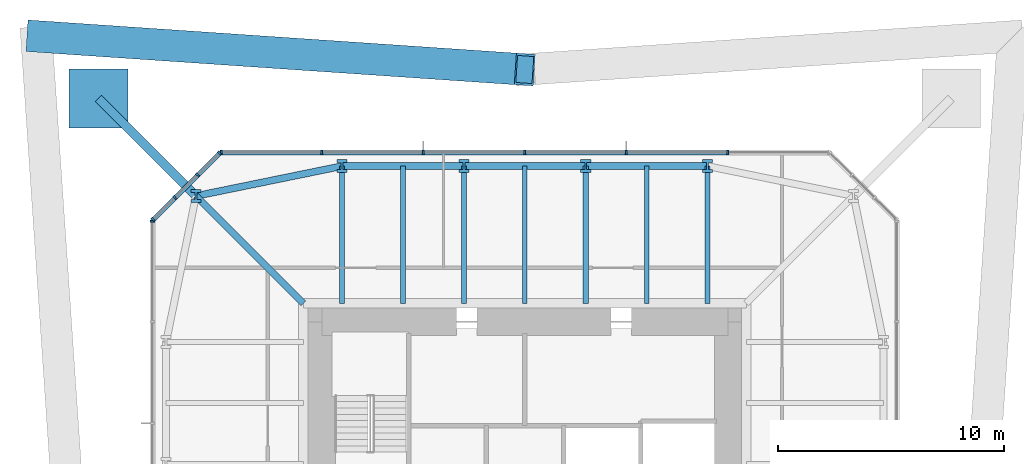
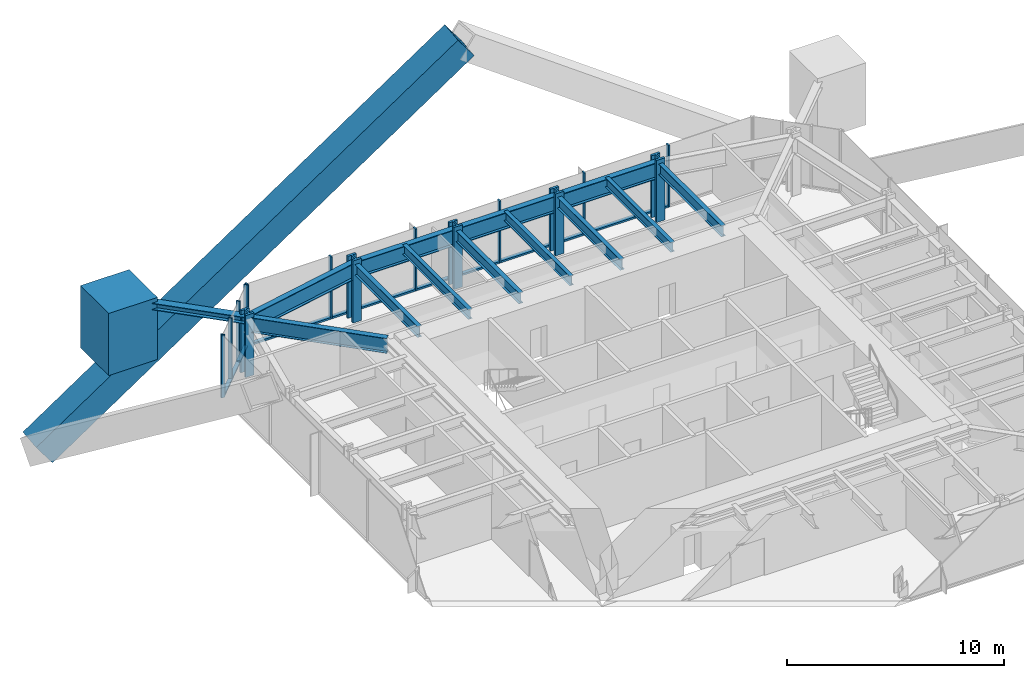
# One storey, part 6 of 11: 27 members, 12 beams, 3 elements without a shape of their own.
"""IFC4 building model written with IfcOpenShell, lengths in metres."""

from ifc_helpers import new_model, si_unit, direction, frame, origin, origin_2d, place, context, subcontext, project, spatial, rectangle, hollow_rectangle, i_section, extrude, material, material_profile, profile_set, type_object, element, aggregate, save


model = new_model("IFC4")

# Units and contexts
model_context = context("Model", 3, precision=1e-05, world=origin(), true_north=direction((0.0, 1.0)))
body_context = subcontext(model_context, "Body", "Model", "MODEL_VIEW")
ifc_project = project(units=[si_unit("LENGTHUNIT", "METRE"), si_unit("AREAUNIT", "SQUARE_METRE"), si_unit("VOLUMEUNIT", "CUBIC_METRE"), si_unit("PLANEANGLEUNIT", "RADIAN"), si_unit("MASSUNIT", "GRAM", prefix="KILO")], contexts=[model_context])

# Site, building, storey
site_placement = place(None, origin())
site = spatial("IfcSite", under=ifc_project, at=site_placement, CompositionType="ELEMENT")
building_placement = place(site_placement, origin())
building = spatial("IfcBuilding", under=site, at=building_placement, Name="Iwan Alto Co-Living Towers", CompositionType="ELEMENT")
storey_placement = place(building_placement, frame((0.0, 0.0, 215.0)))
storey = spatial("IfcBuildingStorey", under=building, at=storey_placement, Name="L58", CompositionType="ELEMENT", Elevation=215.0)

# Curtain wall, members
ifc_material_1 = material(Name="Bronze aluminium unitised frame", Category="aluminium")
curtain_wall_type_1 = type_object("IfcCurtainWallType", Name="CURTAIN WALL CW-A", PredefinedType="NOTDEFINED", material=ifc_material_1)
curtain_wall_1_placement = place(storey_placement, origin())
curtain_wall_1 = element("IfcCurtainWall", 1, at=curtain_wall_1_placement, inside=storey, type_object=curtain_wall_type_1, Name="T1 curtain wall N L58", PredefinedType="NOTDEFINED")
ifc_material_2 = material(Name="Aluminium 6063-T6 bronze anodised", Category="aluminium")
ifc_material_profile_1 = material_profile(ifc_material_2, rectangle(XDim=0.199951171875, YDim=0.080078125, at=origin_2d()), Name="AL 80X200")
ifc_profile_set_1 = profile_set([ifc_material_profile_1], Name="Aluminium 6063-T6 bronze anodised")
member_type_1 = type_object("IfcMemberType", Name="CW-A MULLION 80X200", PredefinedType="MULLION", material=ifc_profile_set_1)
member_1_placement = place(storey_placement, frame((9.0, 16.5, 0.0), z_axis=(0.0, 0.0, 1.0), x_axis=(0.0, -1.0, 0.0)))
member_1 = element("IfcMember", 2, at=member_1_placement, type_object=member_type_1, Name="CW-A mullion 2", PredefinedType="MULLION", context=body_context, shape_type="SweptSolid", body=[
    extrude(rectangle(XDim=0.199951171875, YDim=0.080078125, at=origin_2d()), origin(), (0.0, 0.0, 1.0), 3.5),
])
member_2_placement = place(storey_placement, frame((4.5, 16.5, 0.0), z_axis=(0.0, 0.0, 1.0), x_axis=(0.0, -1.0, 0.0)))
member_2 = element("IfcMember", 3, at=member_2_placement, type_object=member_type_1, Name="CW-A mullion 3", PredefinedType="MULLION", context=body_context, shape_type="SweptSolid", body=[
    extrude(rectangle(XDim=0.199951171875, YDim=0.080078125, at=origin_2d()), origin(), (0.0, 0.0, 1.0), 3.5),
])
member_3_placement = place(storey_placement, frame((0.0, 16.5, 0.0), z_axis=(0.0, 0.0, 1.0), x_axis=(0.0, -1.0, 0.0)))
member_3 = element("IfcMember", 4, at=member_3_placement, type_object=member_type_1, Name="CW-A mullion 4", PredefinedType="MULLION", context=body_context, shape_type="SweptSolid", body=[
    extrude(rectangle(XDim=0.199951171875, YDim=0.080078125, at=origin_2d()), origin(), (0.0, 0.0, 1.0), 3.5),
])
member_4_placement = place(storey_placement, frame((-4.5, 16.5, 0.0), z_axis=(0.0, 0.0, 1.0), x_axis=(0.0, -1.0, 0.0)))
member_4 = element("IfcMember", 5, at=member_4_placement, type_object=member_type_1, Name="CW-A mullion 5", PredefinedType="MULLION", context=body_context, shape_type="SweptSolid", body=[
    extrude(rectangle(XDim=0.199951171875, YDim=0.080078125, at=origin_2d()), origin(), (0.0, 0.0, 1.0), 3.5),
])
member_5_placement = place(storey_placement, frame((-9.0, 16.5, 0.0), z_axis=(0.0, 0.0, 1.0), x_axis=(0.0, -1.0, 0.0)))
member_5 = element("IfcMember", 6, at=member_5_placement, type_object=member_type_1, Name="CW-A mullion 6", PredefinedType="MULLION", context=body_context, shape_type="SweptSolid", body=[
    extrude(rectangle(XDim=0.199951171875, YDim=0.080078125, at=origin_2d()), origin(), (0.0, 0.0, 1.0), 3.5),
])
member_6_placement = place(storey_placement, frame((-13.4599609375, 16.5, 0.0), z_axis=(0.0, 0.0, 1.0), x_axis=(0.0, -1.0, 0.0)))
member_6 = element("IfcMember", 7, at=member_6_placement, type_object=member_type_1, Name="CW-A mullion 7", PredefinedType="MULLION", context=body_context, shape_type="SweptSolid", body=[
    extrude(rectangle(XDim=0.199951171875, YDim=0.080078125, at=origin_2d()), origin(), (0.0, 0.0, 1.0), 3.5),
])

# Curtain wall, member
curtain_wall_2_placement = place(storey_placement, origin())
curtain_wall_2 = element("IfcCurtainWall", 8, at=curtain_wall_2_placement, inside=storey, type_object=curtain_wall_type_1, Name="T1 curtain wall W L58", PredefinedType="NOTDEFINED")
member_7_placement = place(storey_placement, frame((-16.5, 13.4599609375, 0.0), z_axis=(0.0, 0.0, 1.0), x_axis=(1.0, 0.0, 0.0)))
member_7 = element("IfcMember", 9, at=member_7_placement, type_object=member_type_1, Name="CW-A mullion 1", PredefinedType="MULLION", context=body_context, shape_type="SweptSolid", body=[
    extrude(rectangle(XDim=0.199951171875, YDim=0.080078125, at=origin_2d()), origin(), (0.0, 0.0, 1.0), 3.5),
])
aggregate(curtain_wall_2, [member_7])

# Member
ifc_material_3 = material(Name="Aluminium 6063-T6 bronze anodised", Category="aluminium")
ifc_material_profile_2 = material_profile(ifc_material_3, rectangle(XDim=0.199951171875, YDim=0.10009765625, at=origin_2d()), Name="AL 200X100")
ifc_profile_set_2 = profile_set([ifc_material_profile_2], Name="Aluminium 6063-T6 bronze anodised")
member_type_2 = type_object("IfcMemberType", Name="CW-A TRANSOM 200X100", PredefinedType="USERDEFINED", material=ifc_profile_set_2)
member_8_placement = place(storey_placement, frame((8.9599609375, 16.5, 0.050048828125), z_axis=(-1.0, 0.0, 0.0), x_axis=(0.0, -1.0, 0.0)))
member_8 = element("IfcMember", 10, at=member_8_placement, type_object=member_type_2, Name="CW-A transom 2.1", ObjectType="TRANSOM", PredefinedType="USERDEFINED", context=body_context, shape_type="SweptSolid", body=[
    extrude(rectangle(XDim=0.199951171875, YDim=0.10009765625, at=origin_2d()), origin(), (0.0, 0.0, 1.0), 4.419921875),
])

member_9_placement = place(storey_placement, frame((4.4599609375, 16.5, 0.050048828125), z_axis=(-1.0, 0.0, 0.0), x_axis=(0.0, -1.0, 0.0)))
member_9 = element("IfcMember", 11, at=member_9_placement, type_object=member_type_2, Name="CW-A transom 3.1", ObjectType="TRANSOM", PredefinedType="USERDEFINED", context=body_context, shape_type="SweptSolid", body=[
    extrude(rectangle(XDim=0.199951171875, YDim=0.10009765625, at=origin_2d()), origin(), (0.0, 0.0, 1.0), 4.419921875),
])

member_10_placement = place(storey_placement, frame((-0.0400390625, 16.5, 0.050048828125), z_axis=(-1.0, 0.0, 0.0), x_axis=(0.0, -1.0, 0.0)))
member_10 = element("IfcMember", 12, at=member_10_placement, type_object=member_type_2, Name="CW-A transom 4.1", ObjectType="TRANSOM", PredefinedType="USERDEFINED", context=body_context, shape_type="SweptSolid", body=[
    extrude(rectangle(XDim=0.199951171875, YDim=0.10009765625, at=origin_2d()), origin(), (0.0, 0.0, 1.0), 4.419921875),
])

member_11_placement = place(storey_placement, frame((-4.5400390625, 16.5, 0.050048828125), z_axis=(-1.0, 0.0, 0.0), x_axis=(0.0, -1.0, 0.0)))
member_11 = element("IfcMember", 13, at=member_11_placement, type_object=member_type_2, Name="CW-A transom 5.1", ObjectType="TRANSOM", PredefinedType="USERDEFINED", context=body_context, shape_type="SweptSolid", body=[
    extrude(rectangle(XDim=0.199951171875, YDim=0.10009765625, at=origin_2d()), origin(), (0.0, 0.0, 1.0), 4.419921875),
])

member_12_placement = place(storey_placement, frame((-9.0400390625, 16.5, 0.050048828125), z_axis=(-1.0, 0.0, 0.0), x_axis=(0.0, -1.0, 0.0)))
member_12 = element("IfcMember", 14, at=member_12_placement, type_object=member_type_2, Name="CW-A transom 6.1", ObjectType="TRANSOM", PredefinedType="USERDEFINED", context=body_context, shape_type="SweptSolid", body=[
    extrude(rectangle(XDim=0.199951171875, YDim=0.10009765625, at=origin_2d()), origin(), (0.0, 0.0, 1.0), 4.3798828125),
])

aggregate(curtain_wall_1, [member_1, member_2, member_3, member_4, member_5, member_6, member_8, member_9, member_10, member_11, member_12])

# Curtain wall, members
ifc_material_4 = material(Name="Bronze aluminium unitised frame", Category="aluminium")
curtain_wall_type_2 = type_object("IfcCurtainWallType", Name="CURTAIN WALL CW-B", PredefinedType="NOTDEFINED", material=ifc_material_4)
curtain_wall_3_placement = place(storey_placement, origin())
curtain_wall_3 = element("IfcCurtainWall", 15, at=curtain_wall_3_placement, inside=storey, type_object=curtain_wall_type_2, Name="T1 chamfer curtain wall NW L58", PredefinedType="NOTDEFINED")
ifc_material_5 = material(Name="Aluminium 6063-T6 bronze anodised", Category="aluminium")
ifc_material_profile_3 = material_profile(ifc_material_5, rectangle(XDim=0.199951171875, YDim=0.080078125, at=origin_2d()), Name="AL 80X200")
ifc_profile_set_3 = profile_set([ifc_material_profile_3], Name="Aluminium 6063-T6 bronze anodised")
member_type_3 = type_object("IfcMemberType", Name="CW-B MULLION 80X200", PredefinedType="MULLION", material=ifc_profile_set_3)
member_13_placement = place(storey_placement, frame((-13.5283203125, 16.4716796875, 0.0), z_axis=(0.0, 0.0, 1.0), x_axis=(0.707106781187, -0.707106781187, 0.0)))
member_13 = element("IfcMember", 16, at=member_13_placement, type_object=member_type_3, Name="CW-B mullion 1", PredefinedType="MULLION", context=body_context, shape_type="SweptSolid", body=[
    extrude(rectangle(XDim=0.199951171875, YDim=0.080078125, at=origin_2d()), origin(), (0.0, 0.0, 1.0), 3.5),
])
member_14_placement = place(storey_placement, frame((-14.5, 15.5, 0.0), z_axis=(0.0, 0.0, 1.0), x_axis=(0.707106781187, -0.707106781187, 0.0)))
member_14 = element("IfcMember", 17, at=member_14_placement, type_object=member_type_3, Name="CW-B mullion 2", PredefinedType="MULLION", context=body_context, shape_type="SweptSolid", body=[
    extrude(rectangle(XDim=0.199951171875, YDim=0.080078125, at=origin_2d()), origin(), (0.0, 0.0, 1.0), 3.5),
])
member_15_placement = place(storey_placement, frame((-15.5, 14.5, 0.0), z_axis=(0.0, 0.0, 1.0), x_axis=(0.707106781187, -0.707106781187, 0.0)))
member_15 = element("IfcMember", 18, at=member_15_placement, type_object=member_type_3, Name="CW-B mullion 3", PredefinedType="MULLION", context=body_context, shape_type="SweptSolid", body=[
    extrude(rectangle(XDim=0.199951171875, YDim=0.080078125, at=origin_2d()), origin(), (0.0, 0.0, 1.0), 3.5),
])
member_16_placement = place(storey_placement, frame((-16.4716796875, 13.5283203125, 0.0), z_axis=(0.0, 0.0, 1.0), x_axis=(0.707106781187, -0.707106781187, 0.0)))
member_16 = element("IfcMember", 19, at=member_16_placement, type_object=member_type_3, Name="CW-B mullion 4", PredefinedType="MULLION", context=body_context, shape_type="SweptSolid", body=[
    extrude(rectangle(XDim=0.199951171875, YDim=0.080078125, at=origin_2d()), origin(), (0.0, 0.0, 1.0), 3.5),
])
ifc_material_6 = material(Name="Aluminium 6063-T6 bronze anodised", Category="aluminium")
ifc_material_profile_4 = material_profile(ifc_material_6, rectangle(XDim=0.199951171875, YDim=0.10009765625, at=origin_2d()), Name="AL 200X100")
ifc_profile_set_4 = profile_set([ifc_material_profile_4], Name="Aluminium 6063-T6 bronze anodised")
member_type_4 = type_object("IfcMemberType", Name="CW-B TRANSOM 200X100", PredefinedType="USERDEFINED", material=ifc_profile_set_4)
member_17_placement = place(storey_placement, frame((-13.556640625, 16.443359375, 0.050048828125), z_axis=(-0.707106781187, -0.707106781187, 0.0), x_axis=(0.707106781187, -0.707106781187, 0.0)))
member_17 = element("IfcMember", 20, at=member_17_placement, type_object=member_type_4, Name="CW-B transom 1.1", ObjectType="TRANSOM", PredefinedType="USERDEFINED", context=body_context, shape_type="SweptSolid", body=[
    extrude(rectangle(XDim=0.199951171875, YDim=0.10009765625, at=origin_2d()), origin(), (0.0, 0.0, 1.0), 1.2939453125),
])
member_18_placement = place(storey_placement, frame((-14.5283203125, 15.4716796875, 0.050048828125), z_axis=(-0.707106781187, -0.707106781187, 0.0), x_axis=(0.707106781187, -0.707106781187, 0.0)))
member_18 = element("IfcMember", 21, at=member_18_placement, type_object=member_type_4, Name="CW-B transom 2.1", ObjectType="TRANSOM", PredefinedType="USERDEFINED", context=body_context, shape_type="SweptSolid", body=[
    extrude(rectangle(XDim=0.199951171875, YDim=0.10009765625, at=origin_2d()), origin(), (0.0, 0.0, 1.0), 1.334228515625),
])
member_19_placement = place(storey_placement, frame((-15.5283203125, 14.4716796875, 0.050048828125), z_axis=(-0.707106781187, -0.707106781187, 0.0), x_axis=(0.707106781187, -0.707106781187, 0.0)))
member_19 = element("IfcMember", 22, at=member_19_placement, type_object=member_type_4, Name="CW-B transom 3.1", ObjectType="TRANSOM", PredefinedType="USERDEFINED", context=body_context, shape_type="SweptSolid", body=[
    extrude(rectangle(XDim=0.199951171875, YDim=0.10009765625, at=origin_2d()), origin(), (0.0, 0.0, 1.0), 1.2939453125),
])
aggregate(curtain_wall_3, [member_13, member_14, member_15, member_16, member_17, member_18, member_19])

# Beams
ifc_material_7 = material(Name="Steel ASTM A992 Gr 50", Category="steel")
ifc_material_profile_5 = material_profile(ifc_material_7, i_section(OverallWidth=0.2919921875, OverallDepth=0.8408203125, WebThickness=0.0146484375, FlangeThickness=0.021728515625, at=origin_2d()), Name="W33X130")
ifc_profile_set_5 = profile_set([ifc_material_profile_5], Name="Steel ASTM A992 Gr 50")
beam_type_1 = type_object("IfcBeamType", Name="T1 CORNER GIRDER W33X130", PredefinedType="BEAM", material=ifc_profile_set_5)
beam_1_placement = place(storey_placement, frame((-14.57568359375, 14.57568359375, 2.849609375), z_axis=(0.707106781187, -0.707106781187, 0.0), x_axis=(0.707106781187, 0.707106781187, 0.0)))
element("IfcBeam", 23, at=beam_1_placement, inside=storey, type_object=beam_type_1, Name="T1 corner girder CNW L59", PredefinedType="BEAM", context=body_context, shape_type="SweptSolid", body=[
    extrude(i_section(OverallWidth=0.2919921875, OverallDepth=0.8408203125, WebThickness=0.0146484375, FlangeThickness=0.021728515625, at=origin_2d()), origin(), (0.0, 0.0, 1.0), 6.727783203125),
])
ifc_material_8 = material(Name="Steel ASTM A992 Gr 50", Category="steel")
ifc_material_profile_6 = material_profile(ifc_material_8, i_section(OverallWidth=0.307373046875, OverallDepth=0.927001953125, WebThickness=0.01953125, FlangeThickness=0.031982421875, at=origin_2d()), Name="W36X194")
ifc_profile_set_6 = profile_set([ifc_material_profile_6], Name="Steel ASTM A992 Gr 50")
beam_type_2 = type_object("IfcBeamType", Name="T1 EDGE BEAM W36X194", PredefinedType="BEAM", material=ifc_profile_set_6)
beam_2_placement = place(storey_placement, frame((8.10009765625, 15.89990234375, 2.806396484375), z_axis=(-1.0, 0.0, 0.0), x_axis=(0.0, -1.0, 0.0)))
element("IfcBeam", 24, at=beam_2_placement, inside=storey, type_object=beam_type_2, Name="T1 edge beam N1 L59", PredefinedType="BEAM", context=body_context, shape_type="SweptSolid", body=[
    extrude(i_section(OverallWidth=0.307373046875, OverallDepth=0.927001953125, WebThickness=0.01953125, FlangeThickness=0.031982421875, at=origin_2d()), origin(), (0.0, 0.0, 1.0), 5.400146484375),
])
beam_3_placement = place(storey_placement, frame((2.699951171875, 15.89990234375, 2.806396484375), z_axis=(-1.0, 0.0, 0.0), x_axis=(0.0, -1.0, 0.0)))
element("IfcBeam", 25, at=beam_3_placement, inside=storey, type_object=beam_type_2, Name="T1 edge beam N2 L59", PredefinedType="BEAM", context=body_context, shape_type="SweptSolid", body=[
    extrude(i_section(OverallWidth=0.307373046875, OverallDepth=0.927001953125, WebThickness=0.01953125, FlangeThickness=0.031982421875, at=origin_2d()), origin(), (0.0, 0.0, 1.0), 5.39990234375),
])
beam_4_placement = place(storey_placement, frame((-2.699951171875, 15.89990234375, 2.806396484375), z_axis=(-1.0, 0.0, 0.0), x_axis=(0.0, -1.0, 0.0)))
element("IfcBeam", 26, at=beam_4_placement, inside=storey, type_object=beam_type_2, Name="T1 edge beam N3 L59", PredefinedType="BEAM", context=body_context, shape_type="SweptSolid", body=[
    extrude(i_section(OverallWidth=0.307373046875, OverallDepth=0.927001953125, WebThickness=0.01953125, FlangeThickness=0.031982421875, at=origin_2d()), origin(), (0.0, 0.0, 1.0), 5.400146484375),
])
beam_5_placement = place(storey_placement, frame((-8.10009765625, 15.89990234375, 2.806396484375), z_axis=(-0.979724820103, -0.200347889618, 0.0), x_axis=(0.200347889618, -0.979724820103, 0.0)))
element("IfcBeam", 27, at=beam_5_placement, inside=storey, type_object=beam_type_2, Name="T1 edge beam N4 L59", PredefinedType="BEAM", context=body_context, shape_type="SweptSolid", body=[
    extrude(i_section(OverallWidth=0.307373046875, OverallDepth=0.927001953125, WebThickness=0.01953125, FlangeThickness=0.031982421875, at=origin_2d()), origin(), (0.0, 0.0, 1.0), 6.609619140625),
])

# Members
ifc_material_9 = material(Name="Steel ASTM A572 Gr 50", Category="steel")
ifc_material_profile_7 = material_profile(ifc_material_9, hollow_rectangle(XDim=1.39990234375, YDim=1.39990234375, WallThickness=0.10009765625, at=origin_2d()), Name="BOX 1400X1400X100")
ifc_profile_set_7 = profile_set([ifc_material_profile_7], Name="Steel ASTM A572 Gr 50")
member_type_5 = type_object("IfcMemberType", Name="T1 MEGA BRACE BOX 1400X1400X100", PredefinedType="BRACE", material=ifc_profile_set_7)
member_20_placement = place(storey_placement, frame((-21.64990234375, 21.64990234375, -6.0), z_axis=(0.797999656611, -0.054119059235, 0.600223021448), x_axis=(0.067662975304, 0.997708234793, 0.0)))
element("IfcMember", 28, at=member_20_placement, inside=storey, type_object=member_type_5, Name="T1 mega brace Z4A N 2 lower", PredefinedType="BRACE", context=body_context, shape_type="SweptSolid", body=[
    extrude(hollow_rectangle(XDim=1.39990234375, YDim=1.39990234375, WallThickness=0.10009765625, at=origin_2d()), origin(), (0.0, 0.0, 1.0), 27.130126953125),
])
ifc_material_10 = material(Name="Steel ASTM A992 Gr 50", Category="steel")
ifc_material_profile_8 = material_profile(ifc_material_10, i_section(OverallWidth=0.393798828125, OverallDepth=0.3759765625, WebThickness=0.017333984375, FlangeThickness=0.027587890625, at=origin_2d()), Name="W14X145")
ifc_profile_set_8 = profile_set([ifc_material_profile_8], Name="Steel ASTM A992 Gr 50")
member_type_6 = type_object("IfcMemberType", Name="T1 MEGA COLUMN FLOOR TIE W14X145", PredefinedType="STRUT", material=ifc_profile_set_8)
member_21_placement = place(storey_placement, frame((-18.89990234375, 18.89990234375, 3.08203125), z_axis=(0.707106781187, -0.707106781187, 0.0), x_axis=(0.707106781187, 0.707106781187, 0.0)))
element("IfcMember", 29, at=member_21_placement, inside=storey, type_object=member_type_6, Name="T1 mega column floor tie NW L59", PredefinedType="STRUT", context=body_context, shape_type="SweptSolid", body=[
    extrude(i_section(OverallWidth=0.393798828125, OverallDepth=0.3759765625, WebThickness=0.017333984375, FlangeThickness=0.027587890625, at=origin_2d()), origin(), (0.0, 0.0, 1.0), 6.115478515625),
])
ifc_material_11 = material(Name="Concrete f'c 70 MPa", Category="concrete")
ifc_material_profile_9 = material_profile(ifc_material_11, rectangle(XDim=2.60009765625, YDim=2.60009765625, at=origin_2d()), Name="RC 2600X2600")
ifc_profile_set_9 = profile_set([ifc_material_profile_9], Name="Concrete f'c 70 MPa")
member_type_7 = type_object("IfcMemberType", Name="T1 MEGA POST AT STEP RC 2600X2600", PredefinedType="MEMBER", material=ifc_profile_set_9)
member_22_placement = place(storey_placement, frame((-18.89990234375, 18.89990234375, 0.0), z_axis=(0.0, 0.0, 1.0), x_axis=(1.0, 0.0, 0.0)))
element("IfcMember", 30, at=member_22_placement, inside=storey, type_object=member_type_7, Name="T1 mega post at step NW L58", PredefinedType="MEMBER", context=body_context, shape_type="SweptSolid", body=[
    extrude(rectangle(XDim=2.60009765625, YDim=2.60009765625, at=origin_2d()), origin(), (0.0, 0.0, 1.0), 3.5),
    extrude(i_section(OverallWidth=0.4775390625, OverallDepth=0.599365234375, WebThickness=0.10009765625, FlangeThickness=0.139892578125, at=origin_2d()), origin(), (0.0, 0.0, 1.0), 3.5),
])

# Beams
ifc_material_12 = material(Name="Steel ASTM A992 Gr 50", Category="steel")
ifc_material_profile_10 = material_profile(ifc_material_12, i_section(OverallWidth=0.228271484375, OverallDepth=0.607177734375, WebThickness=0.01123046875, FlangeThickness=0.017333984375, at=origin_2d()), Name="W24X76")
ifc_profile_set_10 = profile_set([ifc_material_profile_10], Name="Steel ASTM A992 Gr 50")
beam_type_3 = type_object("IfcBeamType", Name="T1 RADIAL BEAM W24X76", PredefinedType="BEAM", material=ifc_profile_set_10)
for number, where, z_axis, x_axis, name in (
    (31, (8.10009765625, 15.89990234375, 2.966552734375), (0.0, -1.0, 0.0), (1.0, 0.0, 0.0), "T1 radial beam N1 L59"),
    (32, (2.699951171875, 15.89990234375, 2.966552734375), (0.0, -1.0, 0.0), (1.0, 0.0, 0.0), "T1 radial beam N2 L59"),
    (33, (-2.699951171875, 15.89990234375, 2.966552734375), (0.0, -1.0, 0.0), (1.0, 0.0, 0.0), "T1 radial beam N3 L59"),
    (34, (-8.10009765625, 15.89990234375, 2.966552734375), (0.0, -1.0, 0.0), (1.0, 0.0, 0.0), "T1 radial beam N4 L59"),
):
    element("IfcBeam", number, at=place(storey_placement, frame(where, z_axis=z_axis, x_axis=x_axis)), inside=storey, type_object=beam_type_3, Name=name, PredefinedType="BEAM", context=body_context, shape_type="SweptSolid", body=[
        extrude(i_section(OverallWidth=0.228271484375, OverallDepth=0.607177734375, WebThickness=0.01123046875, FlangeThickness=0.017333984375, at=origin_2d()), origin(), (0.0, 0.0, 1.0), 6.08154296875),
    ])

# Members
ifc_material_13 = material(Name="Steel ASTM A992 Gr 50", Category="steel")
ifc_material_profile_11 = material_profile(ifc_material_13, i_section(OverallWidth=0.45458984375, OverallDepth=0.56884765625, WebThickness=0.077880859375, FlangeThickness=0.124755859375, at=origin_2d()), Name="W14X730")
ifc_profile_set_11 = profile_set([ifc_material_profile_11], Name="Steel ASTM A992 Gr 50")
member_type_8 = type_object("IfcMemberType", Name="T1 RING POST AT STEP W14X730", PredefinedType="MEMBER", material=ifc_profile_set_11)
for number, where, z_axis, x_axis, name in (
    (35, (8.10009765625, 15.89990234375, 0.0), (0.0, 0.0, 1.0), (1.0, 0.0, 0.0), "T1 ring post at step N1 L58"),
    (36, (2.699951171875, 15.89990234375, 0.0), (0.0, 0.0, 1.0), (1.0, 0.0, 0.0), "T1 ring post at step N2 L58"),
    (37, (-2.699951171875, 15.89990234375, 0.0), (0.0, 0.0, 1.0), (1.0, 0.0, 0.0), "T1 ring post at step N3 L58"),
    (38, (-8.10009765625, 15.89990234375, 0.0), (0.0, 0.0, 1.0), (1.0, 0.0, 0.0), "T1 ring post at step N4 L58"),
    (39, (-14.57568359375, 14.57568359375, 0.0), (0.0, 0.0, 1.0), (1.0, 0.0, 0.0), "T1 ring post at step CNW L58"),
):
    element("IfcMember", number, at=place(storey_placement, frame(where, z_axis=z_axis, x_axis=x_axis)), inside=storey, type_object=member_type_8, Name=name, PredefinedType="MEMBER", context=body_context, shape_type="SweptSolid", body=[
        extrude(i_section(OverallWidth=0.45458984375, OverallDepth=0.56884765625, WebThickness=0.077880859375, FlangeThickness=0.124755859375, at=origin_2d()), origin(), (0.0, 0.0, 1.0), 3.5),
    ])

# Beams
ifc_material_14 = material(Name="Steel ASTM A992 Gr 50", Category="steel")
ifc_material_profile_12 = material_profile(ifc_material_14, i_section(OverallWidth=0.209228515625, OverallDepth=0.533447265625, WebThickness=0.01025390625, FlangeThickness=0.015625, at=origin_2d()), Name="W21X62")
ifc_profile_set_12 = profile_set([ifc_material_profile_12], Name="Steel ASTM A992 Gr 50")
beam_type_4 = type_object("IfcBeamType", Name="T1 SECONDARY BEAM W21X62", PredefinedType="JOIST", material=ifc_profile_set_12)
for number, where, z_axis, x_axis, name in (
    (40, (5.39990234375, 15.89990234375, 3.00341796875), (0.0, -1.0, 0.0), (1.0, 0.0, 0.0), "T1 secondary beam N1 L59"),
    (41, (0.0, 15.89990234375, 3.00341796875), (0.0, -1.0, 0.0), (1.0, 0.0, 0.0), "T1 secondary beam N2 L59"),
    (42, (-5.39990234375, 15.89990234375, 3.00341796875), (0.0, -1.0, 0.0), (1.0, 0.0, 0.0), "T1 secondary beam N3 L59"),
):
    element("IfcBeam", number, at=place(storey_placement, frame(where, z_axis=z_axis, x_axis=x_axis)), inside=storey, type_object=beam_type_4, Name=name, PredefinedType="JOIST", context=body_context, shape_type="SweptSolid", body=[
        extrude(i_section(OverallWidth=0.209228515625, OverallDepth=0.533447265625, WebThickness=0.01025390625, FlangeThickness=0.015625, at=origin_2d()), origin(), (0.0, 0.0, 1.0), 6.08154296875),
    ])

save(model, "model.ifc")
